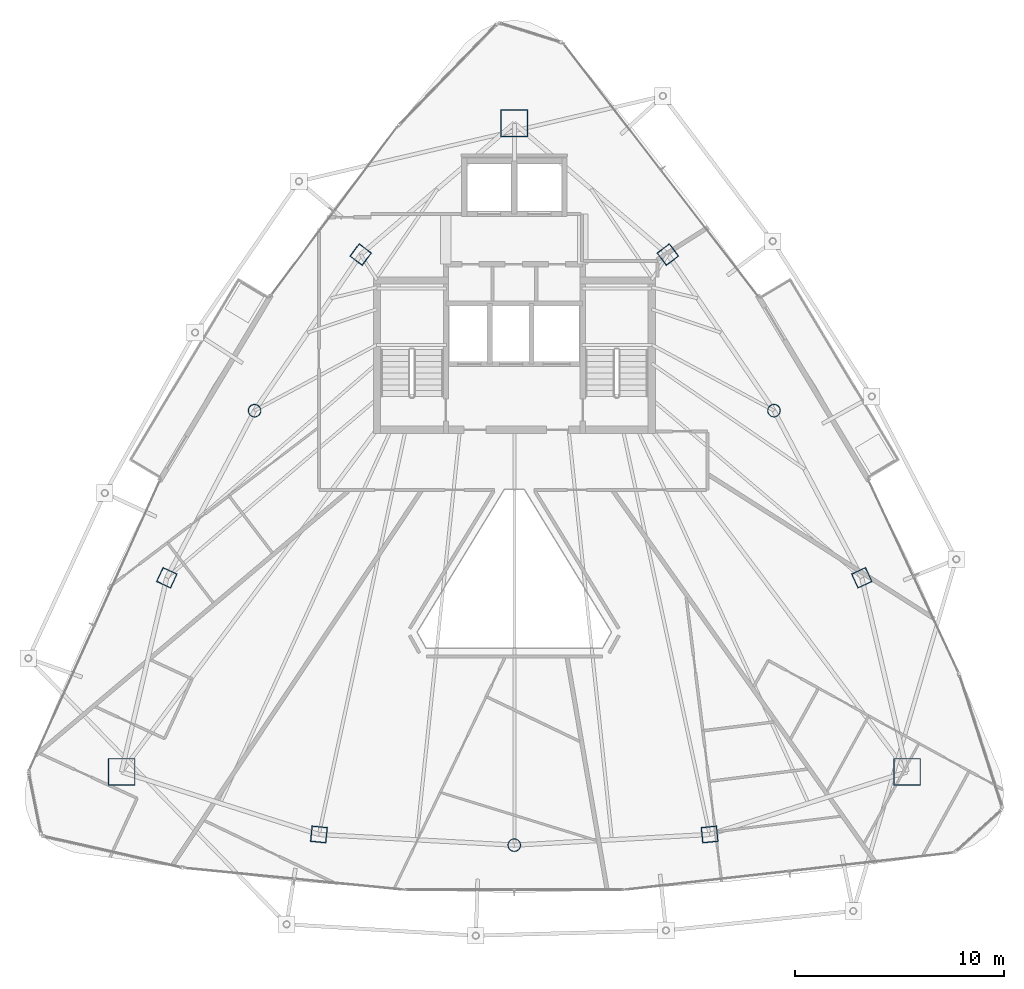
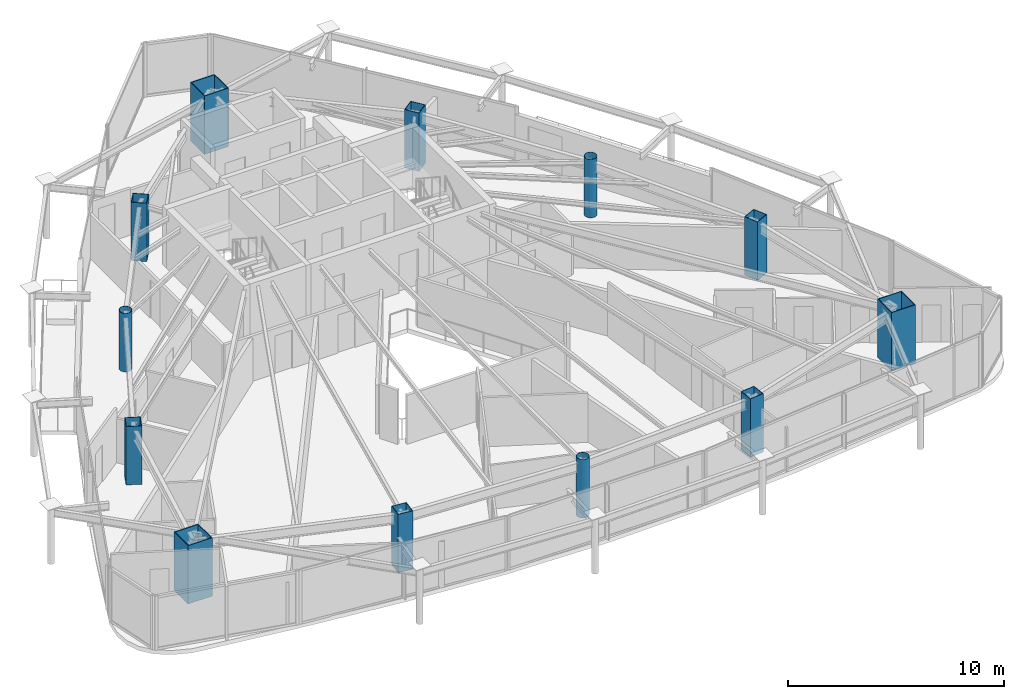
# One storey, part 1 of 33: 12 columns.
"""IFC4 building model written with IfcOpenShell, lengths in metres."""

from ifc_helpers import new_model, si_unit, direction, frame, origin, origin_2d, place, context, subcontext, project, spatial, hollow_rectangle, hollow_circle, extrude, material, material_profile, profile_set, type_object, element, save


model = new_model("IFC4")

# Units and contexts
model_context = context("Model", 3, precision=1e-05, world=origin(), true_north=direction((0.0, 1.0)))
body_context = subcontext(model_context, "Body", "Model", "MODEL_VIEW")
ifc_project = project(units=[si_unit("LENGTHUNIT", "METRE"), si_unit("AREAUNIT", "SQUARE_METRE"), si_unit("VOLUMEUNIT", "CUBIC_METRE"), si_unit("PLANEANGLEUNIT", "RADIAN"), si_unit("MASSUNIT", "GRAM", prefix="KILO")], contexts=[model_context])

# Site, building, storey
site_placement = place(None, origin())
site = spatial("IfcSite", under=ifc_project, at=site_placement, CompositionType="ELEMENT")
building_placement = place(site_placement, origin())
building = spatial("IfcBuilding", under=site, at=building_placement, Name="Orvanel Arch Residences", CompositionType="ELEMENT")
storey_placement = place(building_placement, frame((0.0, 0.0, 212.89990234375)))
storey = spatial("IfcBuildingStorey", under=building, at=storey_placement, Name="L60", CompositionType="ELEMENT", Elevation=212.89990234375)

# Columns
ifc_material_1 = material(Name="Structural steel AS/NZS 1163 C350L0 (Grade 350)", Category="steel")
ifc_material_profile_1 = material_profile(ifc_material_1, hollow_circle(Radius=0.304931640625, WallThickness=0.01611328125, at=origin_2d()), Name="CHS610x16")
ifc_profile_set_1 = profile_set([ifc_material_profile_1], Name="Structural steel AS/NZS 1163 C350L0 (Grade 350)")
column_type_1 = type_object("IfcColumnType", Name="CC-610", PredefinedType="COLUMN", material=ifc_profile_set_1)
for number, where, z_axis, x_axis, name in (
    (1, (20.569091796875, 27.64111328125, 0.0), (0.0, 0.0, 1.0), (1.0, 0.0, 0.0), "L60 High-Rise Tube Column 02"),
    (2, (33.0, 6.843994140625, 0.0), (0.0, 0.0, 1.0), (1.0, 0.0, 0.0), "L60 High-Rise Tube Column 05"),
    (3, (45.430908203125, 27.64111328125, 0.0), (0.0, 0.0, 1.0), (1.0, 0.0, 0.0), "L60 High-Rise Tube Column 08"),
):
    element("IfcColumn", number, at=place(storey_placement, frame(where, z_axis=z_axis, x_axis=x_axis)), inside=storey, type_object=column_type_1, Name=name, PredefinedType="COLUMN", context=body_context, shape_type="SweptSolid", body=[
        extrude(hollow_circle(Radius=0.304931640625, WallThickness=0.01611328125, at=origin_2d()), origin(), (0.0, 0.0, 1.0), 3.300048828125),
    ])
ifc_material_2 = material(Name="Structural steel AS/NZS 3678 Grade 450", Category="steel")
ifc_material_profile_2 = material_profile(ifc_material_2, hollow_rectangle(XDim=1.300048828125, YDim=1.300048828125, WallThickness=0.0400390625, at=origin_2d()), Name="BOX1300x1300x40")
ifc_profile_set_2 = profile_set([ifc_material_profile_2], Name="Structural steel AS/NZS 3678 Grade 450")
column_type_2 = type_object("IfcColumnType", Name="MC-1300", PredefinedType="COLUMN", material=ifc_profile_set_2)
for number, where, z_axis, x_axis, name in (
    (4, (33.0, 41.39794921875, 0.0), (0.0, 0.0, 1.0), (1.0, 0.0, 0.0), "L60 Corner Mega-Column 1"),
    (5, (14.198974609375, 10.35107421875, 0.0), (0.0, 0.0, 1.0), (1.0, 0.0, 0.0), "L60 Corner Mega-Column 2"),
    (6, (51.801025390625, 10.35107421875, 0.0), (0.0, 0.0, 1.0), (1.0, 0.0, 0.0), "L60 Corner Mega-Column 3"),
):
    element("IfcColumn", number, at=place(storey_placement, frame(where, z_axis=z_axis, x_axis=x_axis)), inside=storey, type_object=column_type_2, Name=name, PredefinedType="COLUMN", context=body_context, shape_type="SweptSolid", body=[
        extrude(hollow_rectangle(XDim=1.300048828125, YDim=1.300048828125, WallThickness=0.0400390625, at=origin_2d()), origin(), (0.0, 0.0, 1.0), 3.300048828125),
    ])
ifc_material_3 = material(Name="Structural steel AS/NZS 3678 Grade 350", Category="steel")
ifc_material_profile_3 = material_profile(ifc_material_3, hollow_rectangle(XDim=0.75, YDim=0.75, WallThickness=0.02490234375, at=origin_2d()), Name="BOX750x750x25")
ifc_profile_set_3 = profile_set([ifc_material_profile_3], Name="Structural steel AS/NZS 3678 Grade 350")
column_type_3 = type_object("IfcColumnType", Name="TC-750", PredefinedType="COLUMN", material=ifc_profile_set_3)
for number, where, z_axis, x_axis, name in (
    (7, (25.64794921875, 35.113037109375, 0.0), (0.0, 0.0, 1.0), (0.600420225326, 0.799684658487, 0.0), "L60 High-Rise Tube Column 01"),
    (8, (16.366943359375, 19.64208984375, 0.0), (0.0, 0.0, 1.0), (0.422618261741, 0.906307787037, 0.0), "L60 High-Rise Tube Column 03"),
    (9, (23.64892578125, 7.35498046875, 0.0), (0.0, 0.0, 1.0), (-0.994880708829, 0.101056297183, 0.0), "L60 High-Rise Tube Column 04"),
    (10, (42.35107421875, 7.35498046875, 0.0), (0.0, 0.0, 1.0), (0.994880708829, 0.101056297183, 0.0), "L60 High-Rise Tube Column 06"),
    (11, (49.633056640625, 19.64208984375, 0.0), (0.0, 0.0, 1.0), (-0.422618261741, 0.906307787037, 0.0), "L60 High-Rise Tube Column 07"),
    (12, (40.35205078125, 35.113037109375, 0.0), (0.0, 0.0, 1.0), (-0.600420225326, 0.799684658487, 0.0), "L60 High-Rise Tube Column 09"),
):
    element("IfcColumn", number, at=place(storey_placement, frame(where, z_axis=z_axis, x_axis=x_axis)), inside=storey, type_object=column_type_3, Name=name, PredefinedType="COLUMN", context=body_context, shape_type="SweptSolid", body=[
        extrude(hollow_rectangle(XDim=0.75, YDim=0.75, WallThickness=0.02490234375, at=origin_2d()), origin(), (0.0, 0.0, 1.0), 3.300048828125),
    ])

save(model, "model.ifc")
